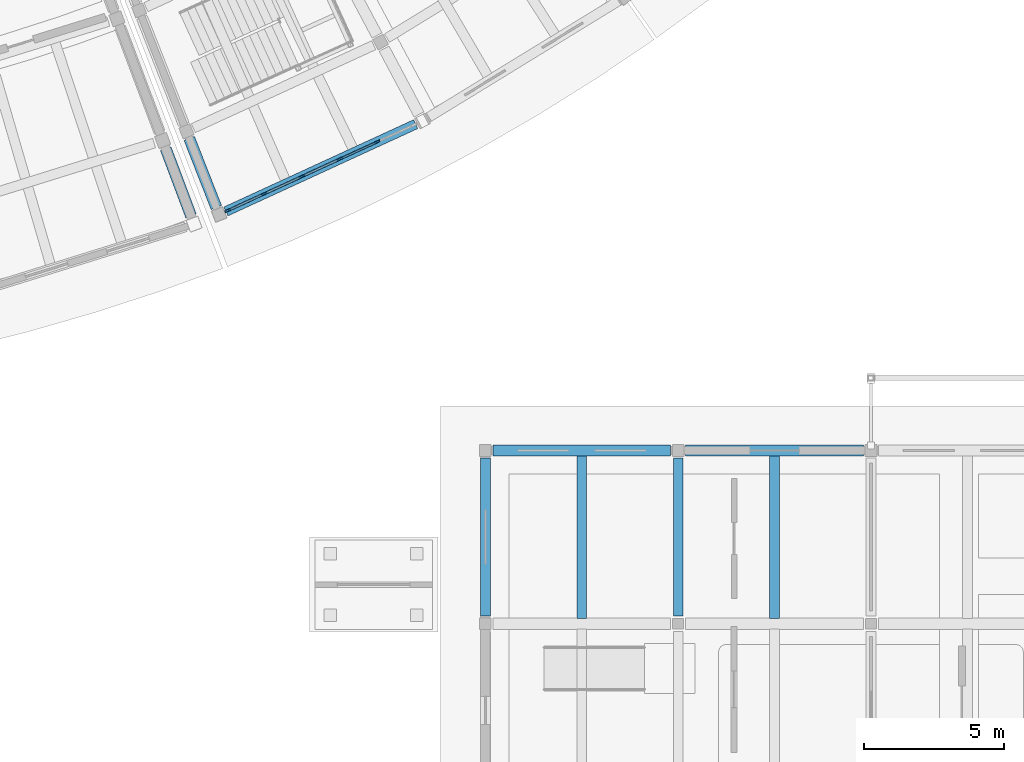
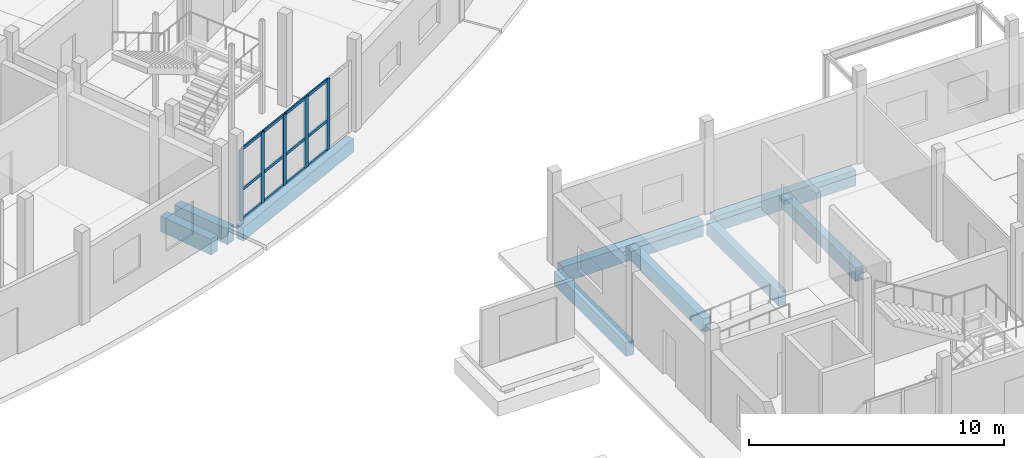
# One storey, part 32 of 92: 17 members, 9 beams, 1 element without a shape of its own.
"""IFC4 building model written with IfcOpenShell, lengths in metres."""

from ifc_helpers import new_model, si_unit, direction, frame, origin, origin_2d, place, context, subcontext, project, spatial, rectangle, extrude, material, layer, layer_set, material_profile, profile_set, type_object, element, aggregate, save


model = new_model("IFC4")

# Units and contexts
model_context = context("Model", 3, precision=1e-05, world=origin(), true_north=direction((0.0, 1.0)))
body_context = subcontext(model_context, "Body", "Model", "MODEL_VIEW")
ifc_project = project(units=[si_unit("LENGTHUNIT", "METRE"), si_unit("AREAUNIT", "SQUARE_METRE"), si_unit("VOLUMEUNIT", "CUBIC_METRE"), si_unit("PLANEANGLEUNIT", "RADIAN"), si_unit("MASSUNIT", "GRAM", prefix="KILO")], contexts=[model_context])

# Site, building, storey
site_placement = place(None, origin())
site = spatial("IfcSite", under=ifc_project, at=site_placement, CompositionType="ELEMENT")
building_placement = place(site_placement, origin())
building = spatial("IfcBuilding", under=site, at=building_placement, Name="Caldaven Crescent School", CompositionType="ELEMENT")
storey_placement = place(building_placement, origin())
storey = spatial("IfcBuildingStorey", under=building, at=storey_placement, Name="L00", CompositionType="ELEMENT", Elevation=0.0)

# Beams
ifc_material_1 = material(Name="Concrete C30/37", Category="concrete")
ifc_material_profile_1 = material_profile(ifc_material_1, rectangle(XDim=0.35009765625, YDim=0.64990234375, at=origin_2d()), Name="RC 350x650")
ifc_profile_set_1 = profile_set([ifc_material_profile_1], Name="Concrete C30/37")
beam_type_1 = type_object("IfcBeamType", Name="BM-RC35", PredefinedType="BEAM", material=ifc_profile_set_1)
for number, where, z_axis, x_axis, name in (
    (1, (122.89990234375, 16.8701171875, -0.5849609375), (0.0, 1.0, 0.0), (-1.0, 0.0, 0.0), "BMY-V3-L00-0440"),
    (2, (129.800048828125, 16.8701171875, -0.5849609375), (0.0, 1.0, 0.0), (-1.0, 0.0, 0.0), "BMY-V3-L00-0443"),
):
    element("IfcBeam", number, at=place(storey_placement, frame(where, z_axis=z_axis, x_axis=x_axis)), inside=storey, type_object=beam_type_1, Name=name, PredefinedType="BEAM", context=body_context, shape_type="SweptSolid", body=[
        extrude(rectangle(XDim=0.35009765625, YDim=0.64990234375, at=origin_2d()), origin(), (0.0, 0.0, 1.0), 5.659912109375),
    ])
for number, where, z_axis, x_axis, name in (
    (3, (126.35009765625, 16.794921875, -0.5849609375), (0.0, 1.0, 0.0), (-1.0, 0.0, 0.0), "JS-V3-L00-0454"),
    (4, (133.25, 16.794921875, -0.5849609375), (0.0, 1.0, 0.0), (-1.0, 0.0, 0.0), "JS-V3-L00-0457"),
):
    element("IfcBeam", number, at=place(storey_placement, frame(where, z_axis=z_axis, x_axis=x_axis)), inside=storey, type_object=beam_type_1, Name=name, PredefinedType="BEAM", context=body_context, shape_type="SweptSolid", body=[
        extrude(rectangle(XDim=0.35009765625, YDim=0.64990234375, at=origin_2d()), origin(), (0.0, 0.0, 1.0), 5.81005859375),
    ])
ifc_material_2 = material(Name="Concrete C35/45", Category="concrete")
ifc_material_profile_2 = material_profile(ifc_material_2, rectangle(XDim=0.39990234375, YDim=0.75, at=origin_2d()), Name="RC 400x750")
ifc_profile_set_2 = profile_set([ifc_material_profile_2], Name="Concrete C35/45")
beam_type_2 = type_object("IfcBeamType", Name="BM-RC40", PredefinedType="BEAM", material=ifc_profile_set_2)
beam_1_placement = place(storey_placement, frame((123.169921875, 22.800048828125, -0.635009765625), z_axis=(1.0, 0.0, 0.0), x_axis=(0.0, 1.0, 0.0)))
element("IfcBeam", 5, at=beam_1_placement, inside=storey, type_object=beam_type_2, Name="BMX-V3-L00-0434", PredefinedType="BEAM", context=body_context, shape_type="SweptSolid", body=[
    extrude(rectangle(XDim=0.39990234375, YDim=0.75, at=origin_2d()), origin(), (0.0, 0.0, 1.0), 6.360107421875),
])
beam_2_placement = place(storey_placement, frame((130.070068359375, 22.800048828125, -0.635009765625), z_axis=(1.0, 0.0, 0.0), x_axis=(0.0, 1.0, 0.0)))
element("IfcBeam", 6, at=beam_2_placement, inside=storey, type_object=beam_type_2, Name="BMX-V3-L00-0435", PredefinedType="BEAM", context=body_context, shape_type="SweptSolid", body=[
    extrude(rectangle(XDim=0.39990234375, YDim=0.75, at=origin_2d()), origin(), (0.0, 0.0, 1.0), 6.35986328125),
])
beam_3_placement = place(storey_placement, frame((111.46337890625, 33.59521484375, -0.635009765625), z_axis=(0.351907163442, -0.936034907639, 0.0), x_axis=(0.936034907639, 0.351907163442, 0.0)))
element("IfcBeam", 7, at=beam_3_placement, inside=storey, type_object=beam_type_2, Name="BMR-V5-L00-0813", PredefinedType="BEAM", context=body_context, shape_type="SweptSolid", body=[
    extrude(rectangle(XDim=0.39990234375, YDim=0.75, at=origin_2d()), origin(), (0.0, 0.0, 1.0), 2.56005859375),
])
beam_4_placement = place(storey_placement, frame((112.30224609375, 33.970703125, -0.635009765625), z_axis=(0.364766172025, -0.931099156775, 0.0), x_axis=(0.931099156775, 0.364766172025, 0.0)))
element("IfcBeam", 8, at=beam_4_placement, inside=storey, type_object=beam_type_2, Name="BMR-V4E-L00-0867", PredefinedType="BEAM", context=body_context, shape_type="SweptSolid", body=[
    extrude(rectangle(XDim=0.39990234375, YDim=0.75, at=origin_2d()), origin(), (0.0, 0.0, 1.0), 2.659912109375),
])

# Curtain wall, members
ifc_material_3 = material(Name="Anodised aluminium AA 6063-T6 and low-E double glazing", Category="aluminium")
ifc_layer = layer(ifc_material_3, 0.2099609375)
ifc_layer_set = layer_set([ifc_layer], Name="Anodised aluminium AA 6063-T6 and low-E double glazing")
curtain_wall_type = type_object("IfcCurtainWallType", Name="CW-SYS3", PredefinedType="NOTDEFINED", material=ifc_layer_set)
curtain_wall_placement = place(storey_placement, origin())
curtain_wall = element("IfcCurtainWall", 9, at=curtain_wall_placement, inside=storey, type_object=curtain_wall_type, Name="CW-L00-113", PredefinedType="NOTDEFINED")
ifc_material_4 = material(Name="Anodised aluminium AA 6063-T6", Category="aluminium")
ifc_material_profile_3 = material_profile(ifc_material_4, rectangle(XDim=0.070068359375, YDim=0.2099609375, at=origin_2d()), Name="CWM 70x210")
ifc_profile_set_3 = profile_set([ifc_material_profile_3], Name="Anodised aluminium AA 6063-T6")
member_type_1 = type_object("IfcMemberType", Name="CWM-T3", PredefinedType="MULLION", material=ifc_profile_set_3)
member_1_placement = place(storey_placement, frame((113.67529296875, 31.382568359375, 0.0), z_axis=(0.0, 0.0, 1.0), x_axis=(-0.417823425339, 0.908528252306, 0.0)))
member_1 = element("IfcMember", 10, at=member_1_placement, type_object=member_type_1, Name="CW3 mullion 1", PredefinedType="MULLION", context=body_context, shape_type="SweptSolid", body=[
    extrude(rectangle(XDim=0.070068359375, YDim=0.2099609375, at=origin_2d()), origin(), (0.0, 0.0, 1.0), 3.39990234375),
])
member_2_placement = place(storey_placement, frame((114.99072265625, 31.987548828125, 0.0), z_axis=(0.0, 0.0, 1.0), x_axis=(-0.417823425339, 0.908528252306, 0.0)))
member_2 = element("IfcMember", 11, at=member_2_placement, type_object=member_type_1, Name="CW3 mullion 2", PredefinedType="MULLION", context=body_context, shape_type="SweptSolid", body=[
    extrude(rectangle(XDim=0.070068359375, YDim=0.2099609375, at=origin_2d()), origin(), (0.0, 0.0, 1.0), 3.39990234375),
])
member_3_placement = place(storey_placement, frame((116.337890625, 32.60693359375, 0.0), z_axis=(0.0, 0.0, 1.0), x_axis=(-0.417823425339, 0.908528252306, 0.0)))
member_3 = element("IfcMember", 12, at=member_3_placement, type_object=member_type_1, Name="CW3 mullion 3", PredefinedType="MULLION", context=body_context, shape_type="SweptSolid", body=[
    extrude(rectangle(XDim=0.070068359375, YDim=0.2099609375, at=origin_2d()), origin(), (0.0, 0.0, 1.0), 3.39990234375),
])
member_4_placement = place(storey_placement, frame((117.684814453125, 33.2265625, 0.0), z_axis=(0.0, 0.0, 1.0), x_axis=(-0.417823425339, 0.908528252306, 0.0)))
member_4 = element("IfcMember", 13, at=member_4_placement, type_object=member_type_1, Name="CW3 mullion 4", PredefinedType="MULLION", context=body_context, shape_type="SweptSolid", body=[
    extrude(rectangle(XDim=0.070068359375, YDim=0.2099609375, at=origin_2d()), origin(), (0.0, 0.0, 1.0), 3.39990234375),
])
member_5_placement = place(storey_placement, frame((119.031982421875, 33.84619140625, 0.0), z_axis=(0.0, 0.0, 1.0), x_axis=(-0.417823425339, 0.908528252306, 0.0)))
member_5 = element("IfcMember", 14, at=member_5_placement, type_object=member_type_1, Name="CW3 mullion 5", PredefinedType="MULLION", context=body_context, shape_type="SweptSolid", body=[
    extrude(rectangle(XDim=0.070068359375, YDim=0.2099609375, at=origin_2d()), origin(), (0.0, 0.0, 1.0), 3.39990234375),
])
ifc_material_profile_4 = material_profile(ifc_material_4, rectangle(XDim=0.06494140625, YDim=0.139892578125, at=origin_2d()), Name="CWT 65x140")
ifc_profile_set_4 = profile_set([ifc_material_profile_4], Name="Anodised aluminium AA 6063-T6")
member_type_2 = type_object("IfcMemberType", Name="CWT-T2", PredefinedType="USERDEFINED", material=ifc_profile_set_4)
member_6_placement = place(storey_placement, frame((113.70703125, 31.397216796875, 0.032470703125), z_axis=(0.908518707105, 0.417844180096, 0.0), x_axis=(-0.417844180096, 0.908518707105, 0.0)))
member_6 = element("IfcMember", 15, at=member_6_placement, type_object=member_type_2, Name="CW3 transom 1.1", ObjectType="TRANSOM", PredefinedType="USERDEFINED", context=body_context, shape_type="SweptSolid", body=[
    extrude(rectangle(XDim=0.06494140625, YDim=0.139892578125, at=origin_2d()), origin(), (0.0, 0.0, 1.0), 1.377685546875),
])
member_7_placement = place(storey_placement, frame((113.70703125, 31.397216796875, 1.427978515625), z_axis=(0.908518707105, 0.417844180096, 0.0), x_axis=(-0.417844180096, 0.908518707105, 0.0)))
member_7 = element("IfcMember", 16, at=member_7_placement, type_object=member_type_2, Name="CW3 transom 1.2", ObjectType="TRANSOM", PredefinedType="USERDEFINED", context=body_context, shape_type="SweptSolid", body=[
    extrude(rectangle(XDim=0.06494140625, YDim=0.139892578125, at=origin_2d()), origin(), (0.0, 0.0, 1.0), 1.377685546875),
])
member_8_placement = place(storey_placement, frame((113.70703125, 31.397216796875, 3.367431640625), z_axis=(0.908518707105, 0.417844180096, 0.0), x_axis=(-0.417844180096, 0.908518707105, 0.0)))
member_8 = element("IfcMember", 17, at=member_8_placement, type_object=member_type_2, Name="CW3 transom 1.3", ObjectType="TRANSOM", PredefinedType="USERDEFINED", context=body_context, shape_type="SweptSolid", body=[
    extrude(rectangle(XDim=0.06494140625, YDim=0.139892578125, at=origin_2d()), origin(), (0.0, 0.0, 1.0), 1.377685546875),
])
member_9_placement = place(storey_placement, frame((115.0224609375, 32.002197265625, 0.032470703125), z_axis=(0.908504886929, 0.417874228, 0.0), x_axis=(-0.417874228, 0.908504886929, 0.0)))
member_9 = element("IfcMember", 18, at=member_9_placement, type_object=member_type_2, Name="CW3 transom 2.1", ObjectType="TRANSOM", PredefinedType="USERDEFINED", context=body_context, shape_type="SweptSolid", body=[
    extrude(rectangle(XDim=0.06494140625, YDim=0.139892578125, at=origin_2d()), origin(), (0.0, 0.0, 1.0), 1.41259765625),
])
member_10_placement = place(storey_placement, frame((115.0224609375, 32.002197265625, 1.427978515625), z_axis=(0.908504886929, 0.417874228, 0.0), x_axis=(-0.417874228, 0.908504886929, 0.0)))
member_10 = element("IfcMember", 19, at=member_10_placement, type_object=member_type_2, Name="CW3 transom 2.2", ObjectType="TRANSOM", PredefinedType="USERDEFINED", context=body_context, shape_type="SweptSolid", body=[
    extrude(rectangle(XDim=0.06494140625, YDim=0.139892578125, at=origin_2d()), origin(), (0.0, 0.0, 1.0), 1.41259765625),
])
member_11_placement = place(storey_placement, frame((115.0224609375, 32.002197265625, 3.367431640625), z_axis=(0.908504886929, 0.417874228, 0.0), x_axis=(-0.417874228, 0.908504886929, 0.0)))
member_11 = element("IfcMember", 20, at=member_11_placement, type_object=member_type_2, Name="CW3 transom 2.3", ObjectType="TRANSOM", PredefinedType="USERDEFINED", context=body_context, shape_type="SweptSolid", body=[
    extrude(rectangle(XDim=0.06494140625, YDim=0.139892578125, at=origin_2d()), origin(), (0.0, 0.0, 1.0), 1.41259765625),
])
member_12_placement = place(storey_placement, frame((116.36962890625, 32.62158203125, 0.032470703125), z_axis=(0.908504886929, 0.417874228, 0.0), x_axis=(-0.417874228, 0.908504886929, 0.0)))
member_12 = element("IfcMember", 21, at=member_12_placement, type_object=member_type_2, Name="CW3 transom 3.1", ObjectType="TRANSOM", PredefinedType="USERDEFINED", context=body_context, shape_type="SweptSolid", body=[
    extrude(rectangle(XDim=0.06494140625, YDim=0.139892578125, at=origin_2d()), origin(), (0.0, 0.0, 1.0), 1.41259765625),
])
member_13_placement = place(storey_placement, frame((116.36962890625, 32.62158203125, 1.427978515625), z_axis=(0.908504886929, 0.417874228, 0.0), x_axis=(-0.417874228, 0.908504886929, 0.0)))
member_13 = element("IfcMember", 22, at=member_13_placement, type_object=member_type_2, Name="CW3 transom 3.2", ObjectType="TRANSOM", PredefinedType="USERDEFINED", context=body_context, shape_type="SweptSolid", body=[
    extrude(rectangle(XDim=0.06494140625, YDim=0.139892578125, at=origin_2d()), origin(), (0.0, 0.0, 1.0), 1.41259765625),
])
member_14_placement = place(storey_placement, frame((116.36962890625, 32.62158203125, 3.367431640625), z_axis=(0.908504886929, 0.417874228, 0.0), x_axis=(-0.417874228, 0.908504886929, 0.0)))
member_14 = element("IfcMember", 23, at=member_14_placement, type_object=member_type_2, Name="CW3 transom 3.3", ObjectType="TRANSOM", PredefinedType="USERDEFINED", context=body_context, shape_type="SweptSolid", body=[
    extrude(rectangle(XDim=0.06494140625, YDim=0.139892578125, at=origin_2d()), origin(), (0.0, 0.0, 1.0), 1.41259765625),
])
member_15_placement = place(storey_placement, frame((117.716796875, 33.2412109375, 0.032470703125), z_axis=(0.908504886929, 0.417874228, 0.0), x_axis=(-0.417874228, 0.908504886929, 0.0)))
member_15 = element("IfcMember", 24, at=member_15_placement, type_object=member_type_2, Name="CW3 transom 4.1", ObjectType="TRANSOM", PredefinedType="USERDEFINED", context=body_context, shape_type="SweptSolid", body=[
    extrude(rectangle(XDim=0.06494140625, YDim=0.139892578125, at=origin_2d()), origin(), (0.0, 0.0, 1.0), 1.41259765625),
])
member_16_placement = place(storey_placement, frame((117.716796875, 33.2412109375, 1.427978515625), z_axis=(0.908504886929, 0.417874228, 0.0), x_axis=(-0.417874228, 0.908504886929, 0.0)))
member_16 = element("IfcMember", 25, at=member_16_placement, type_object=member_type_2, Name="CW3 transom 4.2", ObjectType="TRANSOM", PredefinedType="USERDEFINED", context=body_context, shape_type="SweptSolid", body=[
    extrude(rectangle(XDim=0.06494140625, YDim=0.139892578125, at=origin_2d()), origin(), (0.0, 0.0, 1.0), 1.41259765625),
])
member_17_placement = place(storey_placement, frame((117.716796875, 33.2412109375, 3.367431640625), z_axis=(0.908504886929, 0.417874228, 0.0), x_axis=(-0.417874228, 0.908504886929, 0.0)))
member_17 = element("IfcMember", 26, at=member_17_placement, type_object=member_type_2, Name="CW3 transom 4.3", ObjectType="TRANSOM", PredefinedType="USERDEFINED", context=body_context, shape_type="SweptSolid", body=[
    extrude(rectangle(XDim=0.06494140625, YDim=0.139892578125, at=origin_2d()), origin(), (0.0, 0.0, 1.0), 1.41259765625),
])
aggregate(curtain_wall, [member_1, member_2, member_3, member_4, member_5, member_6, member_7, member_8, member_9, member_10, member_11, member_12, member_13, member_14, member_15, member_16, member_17])

# Beam
ifc_material_profile_5 = material_profile(ifc_material_1, rectangle(XDim=0.35009765625, YDim=0.64990234375, at=origin_2d()), Name="RC 350x650")
ifc_profile_set_5 = profile_set([ifc_material_profile_5], Name="Concrete C30/37")
beam_type_3 = type_object("IfcBeamType", Name="SP-RC35", PredefinedType="SPANDREL", material=ifc_profile_set_5)
beam_5_placement = place(storey_placement, frame((113.6162109375, 31.35546875, -0.5849609375), z_axis=(0.908527406834, 0.417825263755, 0.0), x_axis=(-0.417825263755, 0.908527406834, 0.0)))
element("IfcBeam", 27, at=beam_5_placement, inside=storey, type_object=beam_type_3, Name="BMT-V4E-L00-0892", PredefinedType="SPANDREL", context=body_context, shape_type="SweptSolid", body=[
    extrude(rectangle(XDim=0.35009765625, YDim=0.64990234375, at=origin_2d()), origin(), (0.0, 0.0, 1.0), 7.473876953125),
])

save(model, "model.ifc")
